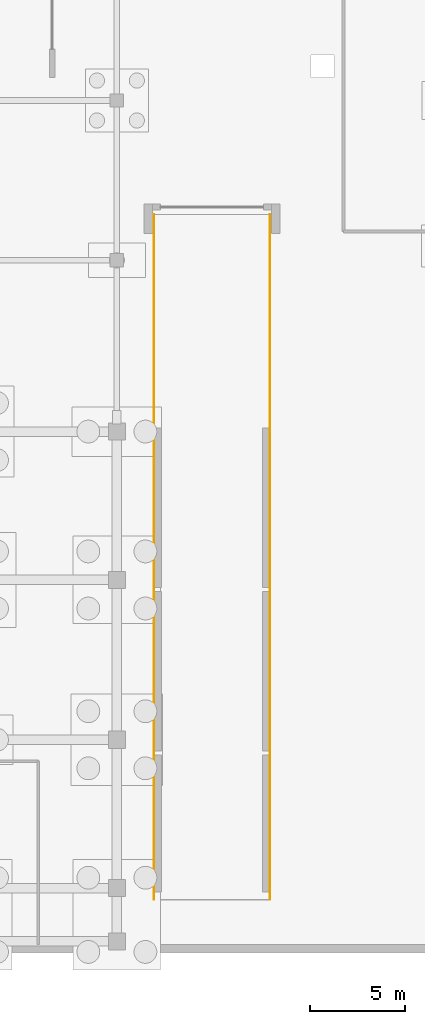
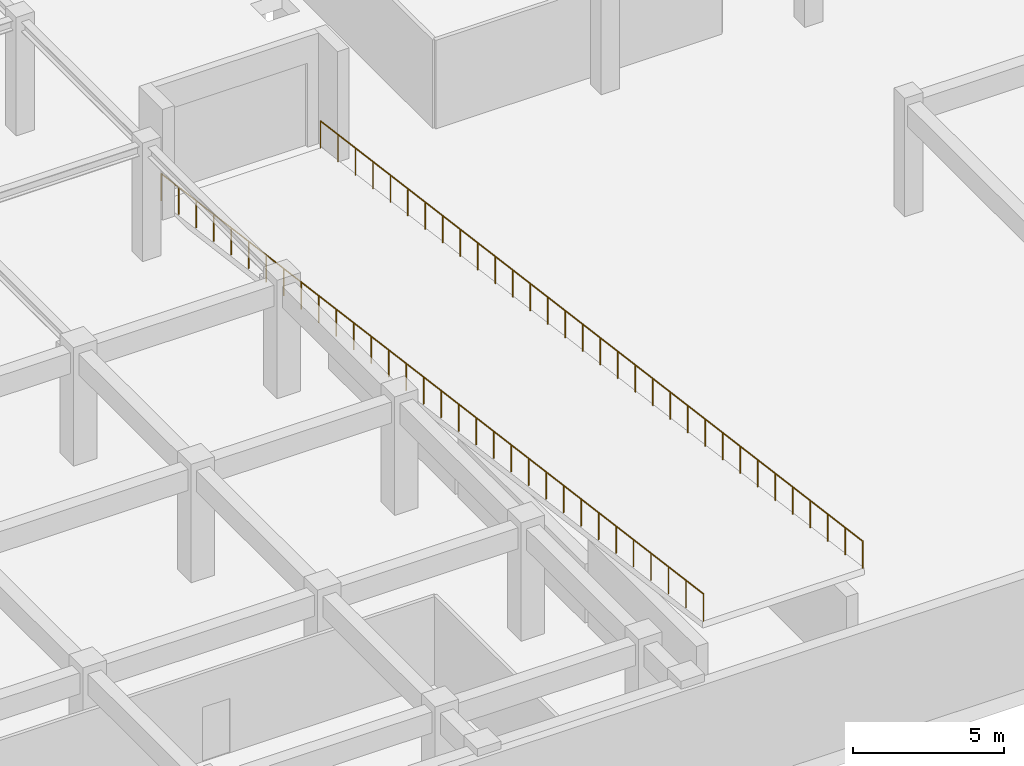
# One storey, part 28 of 35: 2 railings.
"""IFC4 building model written with IfcOpenShell, lengths in metres."""

from ifc_helpers import new_model, si_unit, direction, frame, origin, origin_2d, place, context, subcontext, project, spatial, circle, extrude, material, type_object, element, save


model = new_model("IFC4")

# Units and contexts
model_context = context("Model", 3, precision=1e-05, world=origin(), true_north=direction((0.0, 1.0)))
body_context = subcontext(model_context, "Body", "Model", "MODEL_VIEW")
ifc_project = project(units=[si_unit("LENGTHUNIT", "METRE"), si_unit("AREAUNIT", "SQUARE_METRE"), si_unit("VOLUMEUNIT", "CUBIC_METRE"), si_unit("PLANEANGLEUNIT", "RADIAN"), si_unit("MASSUNIT", "GRAM", prefix="KILO")], contexts=[model_context])

# Site, building, storey
site_placement = place(None, origin())
site = spatial("IfcSite", under=ifc_project, at=site_placement, CompositionType="ELEMENT")
building_placement = place(site_placement, origin())
building = spatial("IfcBuilding", under=site, at=building_placement, Name="Zayran Congress Hotel", CompositionType="ELEMENT")
storey_placement = place(building_placement, frame((0.0, 0.0, -4.800048828125)))
storey = spatial("IfcBuildingStorey", under=building, at=storey_placement, Name="B1", CompositionType="ELEMENT", Elevation=-4.800048828125)

# Railings
ifc_material = material(Name="Warm bronze anodised aluminium balustrade", Category="aluminium")
railing_type = type_object("IfcRailingType", Name="TP-GRD-EXT", PredefinedType="GUARDRAIL", material=ifc_material)
railing_1_placement = place(storey_placement, frame((93.75, 8.800048828125, 4.800048828125)))
element("IfcRailing", 1, at=railing_1_placement, inside=storey, type_object=railing_type, Name="GRD-RMP-B1-W", PredefinedType="GUARDRAIL", context=body_context, shape_type="SweptSolid", body=[
    extrude(circle(Radius=0.02392578125, at=origin_2d()), frame((0.0, 0.0, 1.09619140625), z_axis=(0.0, 0.991227724554, -0.132165041046), x_axis=(-1.0, 0.0, 0.0)), (0.0, 0.0, 1.0), 36.318603515625),
    extrude(circle(Radius=0.02099609375, at=origin_2d()), origin(), (0.0, 0.0, 1.0), 1.072021484375),
    extrude(circle(Radius=0.02099609375, at=origin_2d()), frame((0.0, 1.161376953125, -0.15478515625)), (0.0, 0.0, 1.0), 1.072021484375),
    extrude(circle(Radius=0.02099609375, at=origin_2d()), frame((0.0, 2.322509765625, -0.3095703125)), (0.0, 0.0, 1.0), 1.072021484375),
    extrude(circle(Radius=0.02099609375, at=origin_2d()), frame((0.0, 3.48388671875, -0.464599609375)), (0.0, 0.0, 1.0), 1.072021484375),
    extrude(circle(Radius=0.02099609375, at=origin_2d()), frame((0.0, 4.645263671875, -0.619384765625)), (0.0, 0.0, 1.0), 1.072021484375),
    extrude(circle(Radius=0.02099609375, at=origin_2d()), frame((0.0, 5.806396484375, -0.774169921875)), (0.0, 0.0, 1.0), 1.072021484375),
    extrude(circle(Radius=0.02099609375, at=origin_2d()), frame((0.0, 6.9677734375, -0.928955078125)), (0.0, 0.0, 1.0), 1.072021484375),
    extrude(circle(Radius=0.02099609375, at=origin_2d()), frame((0.0, 8.129150390625, -1.083984375)), (0.0, 0.0, 1.0), 1.072021484375),
    extrude(circle(Radius=0.02099609375, at=origin_2d()), frame((0.0, 9.290283203125, -1.23876953125)), (0.0, 0.0, 1.0), 1.072021484375),
    extrude(circle(Radius=0.02099609375, at=origin_2d()), frame((0.0, 10.45166015625, -1.3935546875)), (0.0, 0.0, 1.0), 1.072021484375),
    extrude(circle(Radius=0.02099609375, at=origin_2d()), frame((0.0, 11.61279296875, -1.54833984375)), (0.0, 0.0, 1.0), 1.072021484375),
    extrude(circle(Radius=0.02099609375, at=origin_2d()), frame((0.0, 12.774169921875, -1.703125)), (0.0, 0.0, 1.0), 1.072021484375),
    extrude(circle(Radius=0.02099609375, at=origin_2d()), frame((0.0, 13.935546875, -1.858154296875)), (0.0, 0.0, 1.0), 1.072021484375),
    extrude(circle(Radius=0.02099609375, at=origin_2d()), frame((0.0, 15.0966796875, -2.012939453125)), (0.0, 0.0, 1.0), 1.072021484375),
    extrude(circle(Radius=0.02099609375, at=origin_2d()), frame((0.0, 16.258056640625, -2.167724609375)), (0.0, 0.0, 1.0), 1.072021484375),
    extrude(circle(Radius=0.02099609375, at=origin_2d()), frame((0.0, 17.41943359375, -2.322509765625)), (0.0, 0.0, 1.0), 1.072021484375),
    extrude(circle(Radius=0.02099609375, at=origin_2d()), frame((0.0, 18.58056640625, -2.4775390625)), (0.0, 0.0, 1.0), 1.072021484375),
    extrude(circle(Radius=0.02099609375, at=origin_2d()), frame((0.0, 19.741943359375, -2.63232421875)), (0.0, 0.0, 1.0), 1.072021484375),
    extrude(circle(Radius=0.02099609375, at=origin_2d()), frame((0.0, 20.9033203125, -2.787109375)), (0.0, 0.0, 1.0), 1.072021484375),
    extrude(circle(Radius=0.02099609375, at=origin_2d()), frame((0.0, 22.064453125, -2.94189453125)), (0.0, 0.0, 1.0), 1.072021484375),
    extrude(circle(Radius=0.02099609375, at=origin_2d()), frame((0.0, 23.225830078125, -3.096923828125)), (0.0, 0.0, 1.0), 1.072021484375),
    extrude(circle(Radius=0.02099609375, at=origin_2d()), frame((0.0, 24.38720703125, -3.251708984375)), (0.0, 0.0, 1.0), 1.072021484375),
    extrude(circle(Radius=0.02099609375, at=origin_2d()), frame((0.0, 25.54833984375, -3.406494140625)), (0.0, 0.0, 1.0), 1.072021484375),
    extrude(circle(Radius=0.02099609375, at=origin_2d()), frame((0.0, 26.709716796875, -3.561279296875)), (0.0, 0.0, 1.0), 1.072021484375),
    extrude(circle(Radius=0.02099609375, at=origin_2d()), frame((0.0, 27.870849609375, -3.716064453125)), (0.0, 0.0, 1.0), 1.072021484375),
    extrude(circle(Radius=0.02099609375, at=origin_2d()), frame((0.0, 29.0322265625, -3.87109375)), (0.0, 0.0, 1.0), 1.072021484375),
    extrude(circle(Radius=0.02099609375, at=origin_2d()), frame((0.0, 30.193603515625, -4.02587890625)), (0.0, 0.0, 1.0), 1.072021484375),
    extrude(circle(Radius=0.02099609375, at=origin_2d()), frame((0.0, 31.354736328125, -4.1806640625)), (0.0, 0.0, 1.0), 1.072021484375),
    extrude(circle(Radius=0.02099609375, at=origin_2d()), frame((0.0, 32.51611328125, -4.33544921875)), (0.0, 0.0, 1.0), 1.072021484375),
    extrude(circle(Radius=0.02099609375, at=origin_2d()), frame((0.0, 33.677490234375, -4.490478515625)), (0.0, 0.0, 1.0), 1.072021484375),
    extrude(circle(Radius=0.02099609375, at=origin_2d()), frame((0.0, 34.838623046875, -4.645263671875)), (0.0, 0.0, 1.0), 1.072021484375),
    extrude(circle(Radius=0.02099609375, at=origin_2d()), frame((0.0, 36.0, -4.800048828125)), (0.0, 0.0, 1.0), 1.072021484375),
])
railing_2_placement = place(storey_placement, frame((99.85009765625, 8.800048828125, 4.800048828125)))
element("IfcRailing", 2, at=railing_2_placement, inside=storey, type_object=railing_type, Name="GRD-RMP-B1-E", PredefinedType="GUARDRAIL", context=body_context, shape_type="SweptSolid", body=[
    extrude(circle(Radius=0.02392578125, at=origin_2d()), frame((0.0, 0.0, 1.09619140625), z_axis=(0.0, 0.991227724554, -0.132165041046), x_axis=(-1.0, 0.0, 0.0)), (0.0, 0.0, 1.0), 36.318603515625),
    extrude(circle(Radius=0.02099609375, at=origin_2d()), origin(), (0.0, 0.0, 1.0), 1.072021484375),
    extrude(circle(Radius=0.02099609375, at=origin_2d()), frame((0.0, 1.161376953125, -0.15478515625)), (0.0, 0.0, 1.0), 1.072021484375),
    extrude(circle(Radius=0.02099609375, at=origin_2d()), frame((0.0, 2.322509765625, -0.3095703125)), (0.0, 0.0, 1.0), 1.072021484375),
    extrude(circle(Radius=0.02099609375, at=origin_2d()), frame((0.0, 3.48388671875, -0.464599609375)), (0.0, 0.0, 1.0), 1.072021484375),
    extrude(circle(Radius=0.02099609375, at=origin_2d()), frame((0.0, 4.645263671875, -0.619384765625)), (0.0, 0.0, 1.0), 1.072021484375),
    extrude(circle(Radius=0.02099609375, at=origin_2d()), frame((0.0, 5.806396484375, -0.774169921875)), (0.0, 0.0, 1.0), 1.072021484375),
    extrude(circle(Radius=0.02099609375, at=origin_2d()), frame((0.0, 6.9677734375, -0.928955078125)), (0.0, 0.0, 1.0), 1.072021484375),
    extrude(circle(Radius=0.02099609375, at=origin_2d()), frame((0.0, 8.129150390625, -1.083984375)), (0.0, 0.0, 1.0), 1.072021484375),
    extrude(circle(Radius=0.02099609375, at=origin_2d()), frame((0.0, 9.290283203125, -1.23876953125)), (0.0, 0.0, 1.0), 1.072021484375),
    extrude(circle(Radius=0.02099609375, at=origin_2d()), frame((0.0, 10.45166015625, -1.3935546875)), (0.0, 0.0, 1.0), 1.072021484375),
    extrude(circle(Radius=0.02099609375, at=origin_2d()), frame((0.0, 11.61279296875, -1.54833984375)), (0.0, 0.0, 1.0), 1.072021484375),
    extrude(circle(Radius=0.02099609375, at=origin_2d()), frame((0.0, 12.774169921875, -1.703125)), (0.0, 0.0, 1.0), 1.072021484375),
    extrude(circle(Radius=0.02099609375, at=origin_2d()), frame((0.0, 13.935546875, -1.858154296875)), (0.0, 0.0, 1.0), 1.072021484375),
    extrude(circle(Radius=0.02099609375, at=origin_2d()), frame((0.0, 15.0966796875, -2.012939453125)), (0.0, 0.0, 1.0), 1.072021484375),
    extrude(circle(Radius=0.02099609375, at=origin_2d()), frame((0.0, 16.258056640625, -2.167724609375)), (0.0, 0.0, 1.0), 1.072021484375),
    extrude(circle(Radius=0.02099609375, at=origin_2d()), frame((0.0, 17.41943359375, -2.322509765625)), (0.0, 0.0, 1.0), 1.072021484375),
    extrude(circle(Radius=0.02099609375, at=origin_2d()), frame((0.0, 18.58056640625, -2.4775390625)), (0.0, 0.0, 1.0), 1.072021484375),
    extrude(circle(Radius=0.02099609375, at=origin_2d()), frame((0.0, 19.741943359375, -2.63232421875)), (0.0, 0.0, 1.0), 1.072021484375),
    extrude(circle(Radius=0.02099609375, at=origin_2d()), frame((0.0, 20.9033203125, -2.787109375)), (0.0, 0.0, 1.0), 1.072021484375),
    extrude(circle(Radius=0.02099609375, at=origin_2d()), frame((0.0, 22.064453125, -2.94189453125)), (0.0, 0.0, 1.0), 1.072021484375),
    extrude(circle(Radius=0.02099609375, at=origin_2d()), frame((0.0, 23.225830078125, -3.096923828125)), (0.0, 0.0, 1.0), 1.072021484375),
    extrude(circle(Radius=0.02099609375, at=origin_2d()), frame((0.0, 24.38720703125, -3.251708984375)), (0.0, 0.0, 1.0), 1.072021484375),
    extrude(circle(Radius=0.02099609375, at=origin_2d()), frame((0.0, 25.54833984375, -3.406494140625)), (0.0, 0.0, 1.0), 1.072021484375),
    extrude(circle(Radius=0.02099609375, at=origin_2d()), frame((0.0, 26.709716796875, -3.561279296875)), (0.0, 0.0, 1.0), 1.072021484375),
    extrude(circle(Radius=0.02099609375, at=origin_2d()), frame((0.0, 27.870849609375, -3.716064453125)), (0.0, 0.0, 1.0), 1.072021484375),
    extrude(circle(Radius=0.02099609375, at=origin_2d()), frame((0.0, 29.0322265625, -3.87109375)), (0.0, 0.0, 1.0), 1.072021484375),
    extrude(circle(Radius=0.02099609375, at=origin_2d()), frame((0.0, 30.193603515625, -4.02587890625)), (0.0, 0.0, 1.0), 1.072021484375),
    extrude(circle(Radius=0.02099609375, at=origin_2d()), frame((0.0, 31.354736328125, -4.1806640625)), (0.0, 0.0, 1.0), 1.072021484375),
    extrude(circle(Radius=0.02099609375, at=origin_2d()), frame((0.0, 32.51611328125, -4.33544921875)), (0.0, 0.0, 1.0), 1.072021484375),
    extrude(circle(Radius=0.02099609375, at=origin_2d()), frame((0.0, 33.677490234375, -4.490478515625)), (0.0, 0.0, 1.0), 1.072021484375),
    extrude(circle(Radius=0.02099609375, at=origin_2d()), frame((0.0, 34.838623046875, -4.645263671875)), (0.0, 0.0, 1.0), 1.072021484375),
    extrude(circle(Radius=0.02099609375, at=origin_2d()), frame((0.0, 36.0, -4.800048828125)), (0.0, 0.0, 1.0), 1.072021484375),
])

save(model, "model.ifc")
